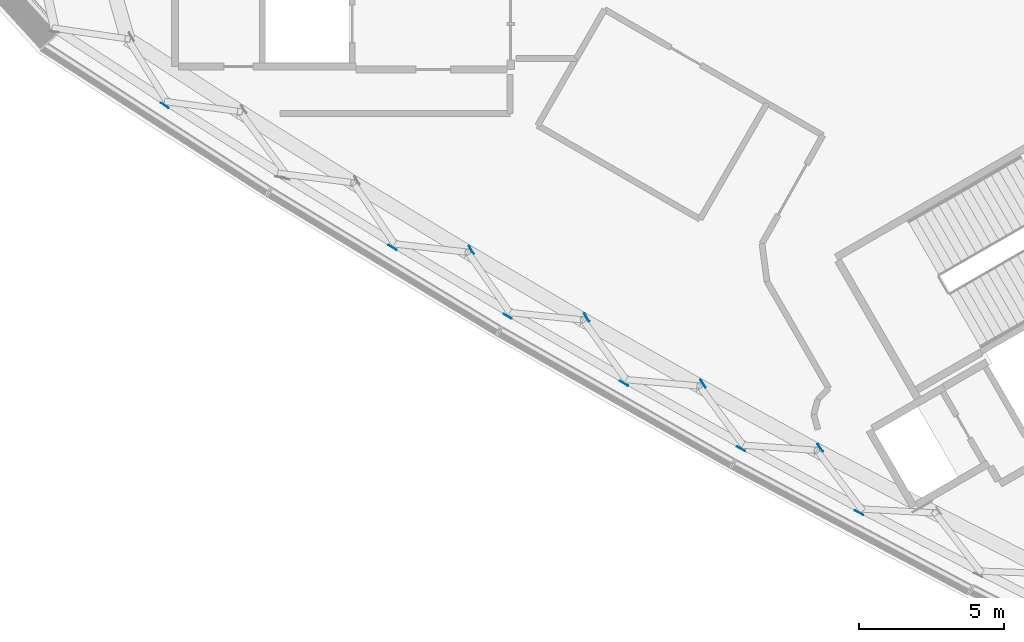
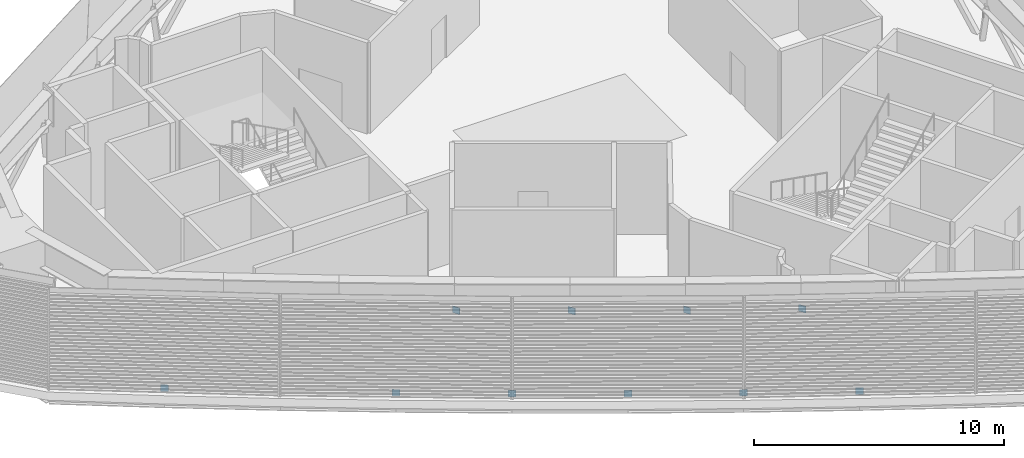
# One storey, part 6 of 18: 10 plates.
"""IFC4 building model written with IfcOpenShell, lengths in metres."""

from ifc_helpers import new_model, si_unit, direction, frame, origin, origin_2d, place, context, subcontext, project, spatial, rectangle, extrude, material, layer, layer_set, type_object, element, save


model = new_model("IFC4")

# Units and contexts
model_context = context("Model", 3, precision=1e-05, world=origin(), true_north=direction((0.0, 1.0)))
body_context = subcontext(model_context, "Body", "Model", "MODEL_VIEW")
ifc_project = project(units=[si_unit("LENGTHUNIT", "METRE"), si_unit("AREAUNIT", "SQUARE_METRE"), si_unit("VOLUMEUNIT", "CUBIC_METRE"), si_unit("PLANEANGLEUNIT", "RADIAN"), si_unit("MASSUNIT", "GRAM", prefix="KILO")], contexts=[model_context])

# Site, building, storey
site_placement = place(None, origin())
site = spatial("IfcSite", under=ifc_project, at=site_placement, CompositionType="ELEMENT")
building_placement = place(site_placement, origin())
building = spatial("IfcBuilding", under=site, at=building_placement, Name="Tamra Quay Hotel Tower", CompositionType="ELEMENT")
storey_placement = place(building_placement, frame((0.0, 0.0, 211.60009765625)))
storey = spatial("IfcBuildingStorey", under=building, at=storey_placement, Name="L53", CompositionType="ELEMENT", Elevation=211.60009765625)

# Plates
ifc_material = material(Name="Structural steel IS 2062 E350", Category="steel")
ifc_layer = layer(ifc_material, 0.02490234375)
ifc_layer_set = layer_set([ifc_layer], Name="BRACE END PLATE 25")
plate_type = type_object("IfcPlateType", Name="BRACE END PLATE 25", PredefinedType="SHEET", material=ifc_layer_set)
for number, where, z_axis, x_axis, name in (
    (1, (-22.79638671875, -7.0185546875, -0.39990234375), (0.0, 0.0, 1.0), (0.54224651215, 0.840219447562, 0.0), "BEP-L53-022"),
    (2, (-14.925537109375, -11.93408203125, -0.39990234375), (0.0, 0.0, 1.0), (0.518286748735, 0.855206902501, 0.0), "BEP-L53-024"),
    (3, (-10.940185546875, -14.309326171875, -0.39990234375), (0.0, 0.0, 1.0), (0.506128599393, 0.862458022675, 0.0), "BEP-L53-025"),
    (4, (-6.922119140625, -16.62939453125, -0.39990234375), (0.0, 0.0, 1.0), (0.493831081065, 0.869557855105, 0.0), "BEP-L53-026"),
    (5, (-2.872314453125, -18.89306640625, -0.39990234375), (0.0, 0.0, 1.0), (0.481490588085, 0.876451261386, 0.0), "BEP-L53-027"),
    (6, (1.208984375, -21.100830078125, -0.39990234375), (0.0, 0.0, 1.0), (0.469006105245, 0.883194923696, 0.0), "BEP-L53-028"),
    (7, (-12.195068359375, -12.01318359375, 2.72998046875), (0.0, 0.0, 1.0), (0.845951267428, 0.533260211471, 0.0), "BEP-L53-052"),
    (8, (-8.207763671875, -14.353515625, 2.72998046875), (0.0, 0.0, 1.0), (0.838677221904, 0.54462878868, 0.0), "BEP-L53-053"),
    (9, (-4.1865234375, -16.635009765625, 2.72998046875), (0.0, 0.0, 1.0), (0.831224209046, 0.555937329468, 0.0), "BEP-L53-054"),
    (10, (-0.131591796875, -18.857177734375, 2.72998046875), (0.0, 0.0, 1.0), (0.823669203551, 0.567070580371, 0.0), "BEP-L53-055"),
):
    element("IfcPlate", number, at=place(storey_placement, frame(where, z_axis=z_axis, x_axis=x_axis)), inside=storey, type_object=plate_type, Name=name, PredefinedType="SHEET", context=body_context, shape_type="SweptSolid", body=[
        extrude(rectangle(XDim=0.02490234375, YDim=0.320068359375, at=origin_2d()), origin(), (0.0, 0.0, 1.0), 0.320068359375),
    ])

save(model, "model.ifc")
